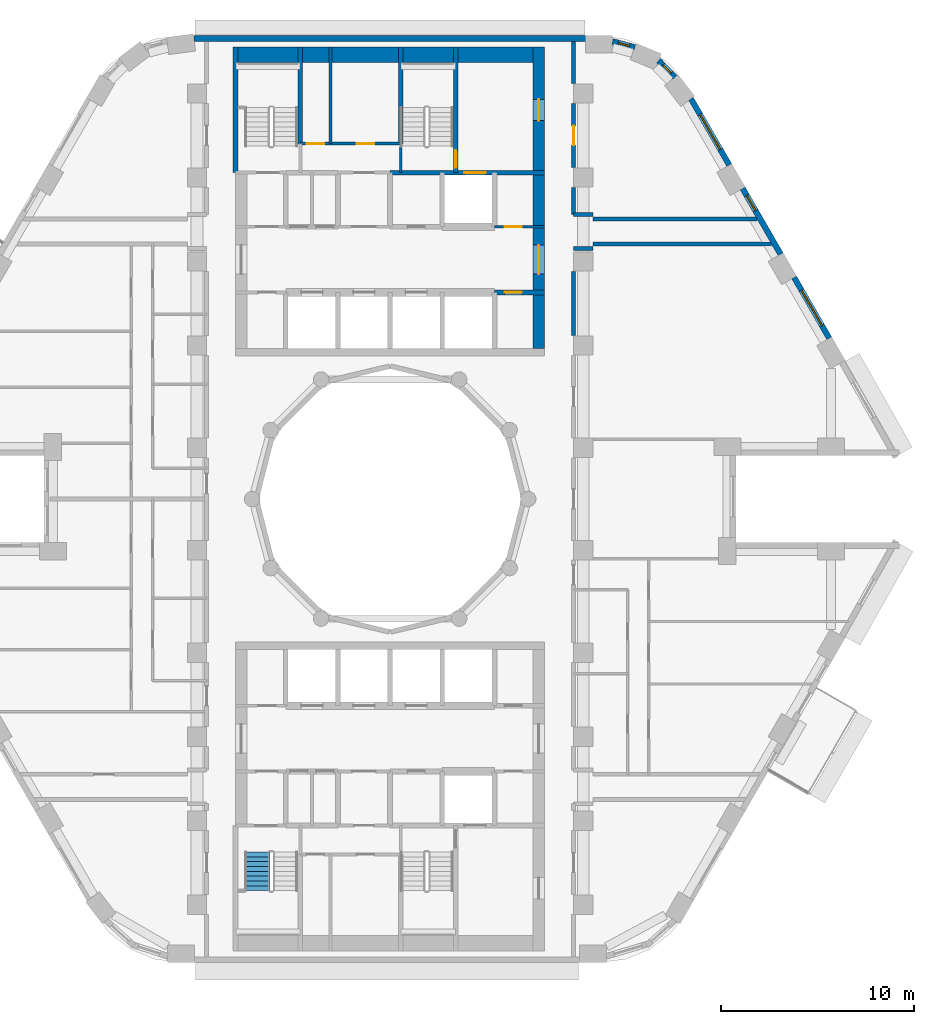
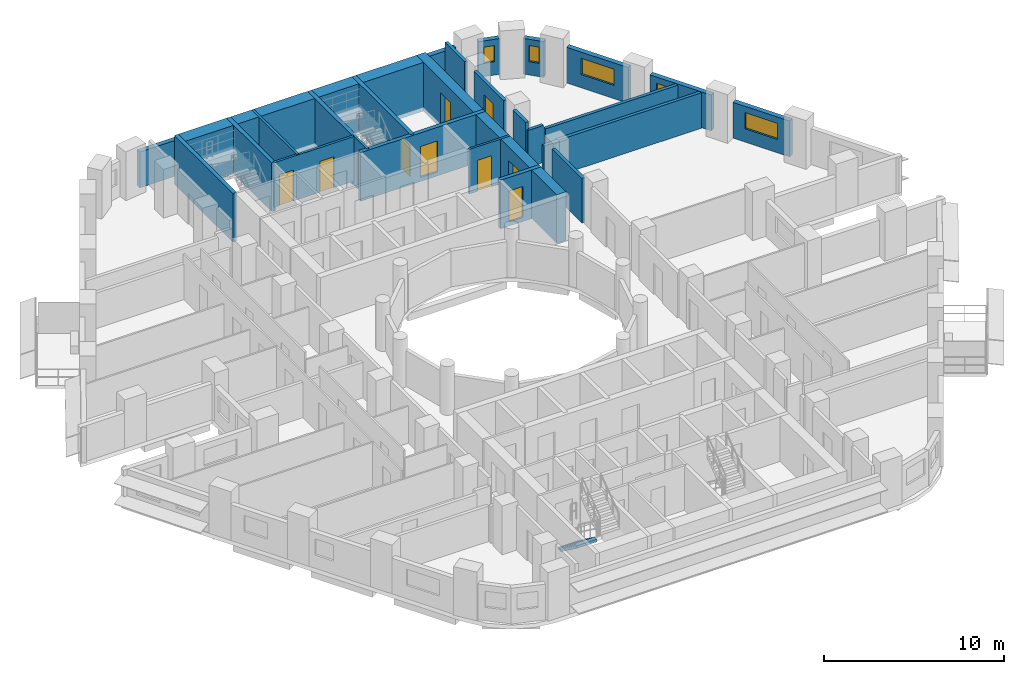
# One storey, part 8 of 14: 26 walls, 9 doors, 5 windows, 1 stair flight, 14 openings, 1 element without a shape of its own.
"""IFC4 building model written with IfcOpenShell, lengths in metres."""

from ifc_helpers import new_model, si_unit, direction, frame, frame_2d, origin, place, context, subcontext, project, spatial, polyline, rectangle, outline, extrude, material, layer, layer_set, type_object, element, fill, aggregate, save


model = new_model("IFC4")

# Units and contexts
model_context = context("Model", 3, precision=1e-05, world=origin(), true_north=direction((0.0, 1.0)))
body_context = subcontext(model_context, "Body", "Model", "MODEL_VIEW")
ifc_project = project(units=[si_unit("LENGTHUNIT", "METRE"), si_unit("AREAUNIT", "SQUARE_METRE"), si_unit("VOLUMEUNIT", "CUBIC_METRE"), si_unit("PLANEANGLEUNIT", "RADIAN"), si_unit("MASSUNIT", "GRAM", prefix="KILO")], contexts=[model_context])

# Site, building, storey
site_placement = place(None, origin())
site = spatial("IfcSite", under=ifc_project, at=site_placement, CompositionType="ELEMENT")
building_placement = place(site_placement, origin())
building = spatial("IfcBuilding", under=site, at=building_placement, Name="Nakaniwa Court", CompositionType="ELEMENT")
storey_placement = place(building_placement, frame((0.0, 0.0, 107.39990234375)))
storey = spatial("IfcBuildingStorey", under=building, at=storey_placement, Name="L28", CompositionType="ELEMENT", Elevation=107.39990234375)

# Walls
ifc_material_1 = material(Name="Acoustic double stud partition")
ifc_layer_1 = layer(ifc_material_1, 0.199951171875)
ifc_layer_set_1 = layer_set([ifc_layer_1], Name="Acoustic double stud partition")
wall_type_1 = type_object("IfcWallType", Name="Acoustic double stud partition 200", PredefinedType="PARTITIONING", material=ifc_layer_set_1)
wall_1_placement = place(storey_placement, frame((89.5, 88.467041015625, 0.0), z_axis=(0.0, 0.0, 1.0), x_axis=(0.0, 1.0, 0.0)))
element("IfcWall", 1, at=wall_1_placement, inside=storey, type_object=wall_type_1, Name="Partition PW-077", PredefinedType="PARTITIONING", context=body_context, shape_type="SweptSolid", body=[
    extrude(rectangle(XDim=3.31591796875, YDim=0.199951171875, at=frame_2d((1.657958984375, 0.0))), origin(), (0.0, 0.0, 1.0), 3.025146484375),
])
wall_2_placement = place(storey_placement, frame((89.5, 94.721923828125, 0.0), z_axis=(0.0, 0.0, 1.0), x_axis=(0.0, 1.0, 0.0)))
element("IfcWall", 2, at=wall_2_placement, inside=storey, type_object=wall_type_1, Name="Partition PW-078", PredefinedType="PARTITIONING", context=body_context, shape_type="SweptSolid", body=[
    extrude(rectangle(XDim=1.4111328125, YDim=0.199951171875, at=frame_2d((0.70556640625, 0.0))), origin(), (0.0, 0.0, 1.0), 3.025146484375),
])

# Wall, opening, door
wall_3_placement = place(storey_placement, frame((89.5, 100.48291015625, 0.0), z_axis=(0.0, 0.0, 1.0), x_axis=(0.0, -1.0, 0.0)))
wall_3 = element("IfcWall", 3, at=wall_3_placement, inside=storey, type_object=wall_type_1, Name="Partition PW-079", PredefinedType="PARTITIONING", context=body_context, shape_type="SweptSolid", body=[
    extrude(rectangle(XDim=3.31591796875, YDim=0.199951171875, at=frame_2d((1.657958984375, 0.0))), origin(), (0.0, 0.0, 1.0), 3.025146484375),
])
opening_1_placement = place(wall_3_placement, frame((1.157958984375, 0.0, 0.0)))
opening_1 = element("IfcOpeningElement", 4, at=opening_1_placement, cuts=wall_3, Name="Opening D-02-04", PredefinedType="OPENING", context=body_context, shape_type="SweptSolid", body=[
    extrude(rectangle(XDim=1.0, YDim=2.10009765625, at=frame_2d((0.5, 1.050048828125))), frame((0.0, 0.10986328125, 0.0), z_axis=(0.0, -1.0, 0.0), x_axis=(1.0, 0.0, 0.0)), (0.0, 0.0, 1.0), 0.219970703125),
])
ifc_material_2 = material(Name="Solid core timber door set, black veneer", Category="wood")
door_type_1 = type_object("IfcDoorType", Name="Internal door 1000", OperationType="NOTDEFINED", PredefinedType="DOOR", material=ifc_material_2)
door_1_placement = place(opening_1_placement, origin())
door_1 = element("IfcDoor", 5, at=door_1_placement, inside=storey, type_object=door_type_1, Name="Door D-02-04 L28-036", OperationType="SINGLE_SWING_LEFT", OverallHeight=2.10009765625, OverallWidth=1.0, PredefinedType="DOOR", context=body_context, shape_type="SweptSolid", body=[
    extrude(rectangle(XDim=1.0, YDim=2.10009765625, at=frame_2d((0.5, 1.050048828125))), frame((0.0, 0.02490234375, 0.0), z_axis=(0.0, -1.0, 0.0), x_axis=(1.0, 0.0, 0.0)), (0.0, 0.0, 1.0), 0.050048828125),
])
fill(opening_1, door_1)

# Walls
wall_4_placement = place(storey_placement, frame((89.5, 101.51708984375, 0.0), z_axis=(0.0, 0.0, 1.0), x_axis=(0.0, 1.0, 0.0)))
element("IfcWall", 6, at=wall_4_placement, inside=storey, type_object=wall_type_1, Name="Partition PW-080", PredefinedType="PARTITIONING", context=body_context, shape_type="SweptSolid", body=[
    extrude(rectangle(XDim=2.182861328125, YDim=0.199951171875, at=frame_2d((1.09130859375, 0.0))), origin(), (0.0, 0.0, 1.0), 3.025146484375),
])
wall_5_placement = place(storey_placement, frame((90.5, 93.199951171875, 0.0), z_axis=(0.0, 0.0, 1.0), x_axis=(1.0, 0.0, 0.0)))
element("IfcWall", 7, at=wall_5_placement, inside=storey, type_object=wall_type_1, Name="Partition PW-082", PredefinedType="PARTITIONING", context=body_context, shape_type="SweptSolid", body=[
    extrude(rectangle(XDim=9.245361328125, YDim=0.199951171875, at=frame_2d((4.62255859375, 0.0))), origin(), (0.0, 0.0, 1.0), 2.405029296875),
])
for number, where, z_axis, x_axis, name in (
    (8, (89.5, 92.97509765625, 0.0), (0.0, 0.0, 1.0), (1.0, 0.0, 0.0), "Partition PW-084"),
    (9, (89.5, 94.72509765625, 0.0), (0.0, 0.0, 1.0), (1.0, 0.0, 0.0), "Partition PW-086"),
):
    element("IfcWall", number, at=place(storey_placement, frame(where, z_axis=z_axis, x_axis=x_axis)), inside=storey, type_object=wall_type_1, Name=name, PredefinedType="PARTITIONING", context=body_context, shape_type="SweptSolid", body=[
        extrude(rectangle(XDim=1.0, YDim=0.199951171875, at=frame_2d((0.5, 0.0))), origin(), (0.0, 0.0, 1.0), 2.505126953125),
    ])
wall_6_placement = place(storey_placement, frame((90.5, 94.5, 0.0), z_axis=(0.0, 0.0, 1.0), x_axis=(1.0, 0.0, 0.0)))
element("IfcWall", 10, at=wall_6_placement, inside=storey, type_object=wall_type_1, Name="Partition PW-088", PredefinedType="PARTITIONING", context=body_context, shape_type="SweptSolid", body=[
    extrude(rectangle(XDim=8.494873046875, YDim=0.199951171875, at=frame_2d((4.24755859375, 0.0))), origin(), (0.0, 0.0, 1.0), 2.405029296875),
])

# Wall, opening, window
ifc_material_3 = material(Name="Charcoal ceramic cladding")
ifc_layer_2 = layer(ifc_material_3, 0.02, Name="Ceramic cladding")
ifc_material_4 = material(Name="Ventilated air cavity")
ifc_layer_3 = layer(ifc_material_4, 0.04, ventilated=True, Name="Ventilated cavity")
ifc_material_5 = material(Name="Mineral wool insulation")
ifc_layer_4 = layer(ifc_material_5, 0.1, Name="Insulation")
ifc_material_6 = material(Name="Cement bonded sheathing board")
ifc_layer_5 = layer(ifc_material_6, 0.012, Name="Sheathing")
ifc_material_7 = material(Name="Cold-formed galvanised stud frame with mineral wool infill")
ifc_layer_6 = layer(ifc_material_7, 0.1, Name="Stud frame")
ifc_material_8 = material(Name="Fire-rated gypsum plasterboard lining")
ifc_layer_7 = layer(ifc_material_8, 0.028, Name="Lining")
ifc_layer_set_2 = layer_set([ifc_layer_2, ifc_layer_3, ifc_layer_4, ifc_layer_5, ifc_layer_6, ifc_layer_7], Name="Charcoal ceramic faced external wall system")
wall_type_2 = type_object("IfcWallType", Name="Black ceramic faced external wall 300", PredefinedType="SOLIDWALL", material=ifc_layer_set_2)
wall_7_placement = place(storey_placement, frame((102.734619140625, 88.322509765625, 0.0), z_axis=(0.0, 0.0, 1.0), x_axis=(-0.500009139881, 0.866020126807, 0.0)))
wall_7 = element("IfcWall", 11, at=wall_7_placement, inside=storey, type_object=wall_type_2, Name="L28 external wall 03", PredefinedType="SOLIDWALL", context=body_context, shape_type="SweptSolid", body=[
    extrude(rectangle(XDim=3.63671875, YDim=0.300048828125, at=frame_2d((1.818359375, 0.0))), origin(), (0.0, 0.0, 1.0), 2.425048828125),
])
opening_2_placement = place(wall_7_placement, frame((0.768310546875, 0.0, 0.89990234375)))
opening_2 = element("IfcOpeningElement", 12, at=opening_2_placement, cuts=wall_7, Name="Opening W7.02", PredefinedType="OPENING", context=body_context, shape_type="SweptSolid", body=[
    extrude(rectangle(XDim=2.10009765625, YDim=1.10009765625, at=frame_2d((1.050048828125, 0.550048828125))), frame((0.0, 0.159912109375, 0.0), z_axis=(0.0, -1.0, 0.0), x_axis=(1.0, 0.0, 0.0)), (0.0, 0.0, 1.0), 0.320068359375),
])
ifc_material_9 = material(Name="Black anodised aluminium frame with dark low-E laminated double glazing", Category="aluminium")
window_type_1 = type_object("IfcWindowType", Name="Dark glass window 2100x1100 sill 900", PartitioningType="SINGLE_PANEL", PredefinedType="WINDOW", material=ifc_material_9)
window_1_placement = place(opening_2_placement, origin())
window_1 = element("IfcWindow", 13, at=window_1_placement, inside=storey, type_object=window_type_1, Name="L28 habitable room window 03-0", OverallHeight=1.10009765625, OverallWidth=2.10009765625, PartitioningType="SINGLE_PANEL", PredefinedType="WINDOW", context=body_context, shape_type="SweptSolid", body=[
    extrude(rectangle(XDim=2.10009765625, YDim=1.10009765625, at=frame_2d((1.050048828125, 0.550048828125))), frame((0.0, 0.030029296875, 0.0), z_axis=(0.0, -1.0, 0.0), x_axis=(1.0, 0.0, 0.0)), (0.0, 0.0, 1.0), 0.06005859375),
])
fill(opening_2, window_1)

wall_8_placement = place(storey_placement, frame((100.22021484375, 92.677490234375, 0.0), z_axis=(0.0, 0.0, 1.0), x_axis=(-0.499957037901, 0.866050206543, 0.0)))
wall_8 = element("IfcWall", 14, at=wall_8_placement, inside=storey, type_object=wall_type_2, Name="L28 external wall 04", PredefinedType="SOLIDWALL", context=body_context, shape_type="SweptSolid", body=[
    extrude(rectangle(XDim=3.933837890625, YDim=0.300048828125, at=frame_2d((1.966796875, 0.0))), origin(), (0.0, 0.0, 1.0), 2.425048828125),
])
opening_3_placement = place(wall_8_placement, frame((2.606201171875, 0.0, 0.89990234375)))
opening_3 = element("IfcOpeningElement", 15, at=opening_3_placement, cuts=wall_8, Name="Opening W9.03", PredefinedType="OPENING", context=body_context, shape_type="SweptSolid", body=[
    extrude(rectangle(XDim=0.89990234375, YDim=1.10009765625, at=frame_2d((0.449951171875, 0.550048828125))), frame((0.0, 0.159912109375, 0.0), z_axis=(0.0, -1.0, 0.0), x_axis=(1.0, 0.0, 0.0)), (0.0, 0.0, 1.0), 0.320068359375),
])
window_type_2 = type_object("IfcWindowType", Name="Dark glass window 900x1100 sill 900", PartitioningType="SINGLE_PANEL", PredefinedType="WINDOW", material=ifc_material_9)
window_2_placement = place(opening_3_placement, origin())
window_2 = element("IfcWindow", 16, at=window_2_placement, inside=storey, type_object=window_type_2, Name="L28 habitable room window 04-2", OverallHeight=1.10009765625, OverallWidth=0.89990234375, PartitioningType="SINGLE_PANEL", PredefinedType="WINDOW", context=body_context, shape_type="SweptSolid", body=[
    extrude(rectangle(XDim=0.89990234375, YDim=1.10009765625, at=frame_2d((0.449951171875, 0.550048828125))), frame((0.0, 0.030029296875, 0.0), z_axis=(0.0, -1.0, 0.0), x_axis=(1.0, 0.0, 0.0)), (0.0, 0.0, 1.0), 0.06005859375),
])
fill(opening_3, window_2)

wall_9_placement = place(storey_placement, frame((97.557373046875, 97.289794921875, 0.0), z_axis=(0.0, 0.0, 1.0), x_axis=(-0.500043828347, 0.866000097998, 0.0)))
wall_9 = element("IfcWall", 17, at=wall_9_placement, inside=storey, type_object=wall_type_2, Name="L28 external wall 05", PredefinedType="SOLIDWALL", context=body_context, shape_type="SweptSolid", body=[
    extrude(rectangle(XDim=3.967529296875, YDim=0.300048828125, at=frame_2d((1.98388671875, 0.0))), origin(), (0.0, 0.0, 1.0), 2.425048828125),
])
opening_4_placement = place(wall_9_placement, frame((0.92236328125, 0.0, 0.89990234375)))
opening_4 = element("IfcOpeningElement", 18, at=opening_4_placement, cuts=wall_9, Name="Opening W7.04", PredefinedType="OPENING", context=body_context, shape_type="SweptSolid", body=[
    extrude(rectangle(XDim=2.10009765625, YDim=1.10009765625, at=frame_2d((1.050048828125, 0.550048828125))), frame((0.0, 0.159912109375, 0.0), z_axis=(0.0, -1.0, 0.0), x_axis=(1.0, 0.0, 0.0)), (0.0, 0.0, 1.0), 0.320068359375),
])
window_3_placement = place(opening_4_placement, origin())
window_3 = element("IfcWindow", 19, at=window_3_placement, inside=storey, type_object=window_type_1, Name="L28 habitable room window 05-0", OverallHeight=1.10009765625, OverallWidth=2.10009765625, PartitioningType="SINGLE_PANEL", PredefinedType="WINDOW", context=body_context, shape_type="SweptSolid", body=[
    extrude(rectangle(XDim=2.10009765625, YDim=1.10009765625, at=frame_2d((1.050048828125, 0.550048828125))), frame((0.0, 0.030029296875, 0.0), z_axis=(0.0, -1.0, 0.0), x_axis=(1.0, 0.0, 0.0)), (0.0, 0.0, 1.0), 0.06005859375),
])
fill(opening_4, window_3)

wall_10_placement = place(storey_placement, frame((94.738037109375, 101.839111328125, 0.0), z_axis=(0.0, 0.0, 1.0), x_axis=(-0.697032216592, 0.717039809936, 0.0)))
wall_10 = element("IfcWall", 20, at=wall_10_placement, inside=storey, type_object=wall_type_2, Name="L28 external wall 06", PredefinedType="SOLIDWALL", context=body_context, shape_type="SweptSolid", body=[
    extrude(rectangle(XDim=1.2080078125, YDim=0.300048828125, at=frame_2d((0.60400390625, 0.0))), origin(), (0.0, 0.0, 1.0), 2.425048828125),
])
opening_5_placement = place(wall_10_placement, frame((0.279296875, 0.0, 0.89990234375)))
opening_5 = element("IfcOpeningElement", 21, at=opening_5_placement, cuts=wall_10, Name="Opening W8.05", PredefinedType="OPENING", context=body_context, shape_type="SweptSolid", body=[
    extrude(rectangle(XDim=0.60009765625, YDim=1.10009765625, at=frame_2d((0.300048828125, 0.550048828125))), frame((0.0, 0.159912109375, 0.0), z_axis=(0.0, -1.0, 0.0), x_axis=(1.0, 0.0, 0.0)), (0.0, 0.0, 1.0), 0.320068359375),
])
window_type_3 = type_object("IfcWindowType", Name="Dark glass window 600x1100 sill 900", PartitioningType="SINGLE_PANEL", PredefinedType="WINDOW", material=ifc_material_9)
window_4_placement = place(opening_5_placement, origin())
window_4 = element("IfcWindow", 22, at=window_4_placement, inside=storey, type_object=window_type_3, Name="L28 habitable room window 06-0", OverallHeight=1.10009765625, OverallWidth=0.60009765625, PartitioningType="SINGLE_PANEL", PredefinedType="WINDOW", context=body_context, shape_type="SweptSolid", body=[
    extrude(rectangle(XDim=0.60009765625, YDim=1.10009765625, at=frame_2d((0.300048828125, 0.550048828125))), frame((0.0, 0.030029296875, 0.0), z_axis=(0.0, -1.0, 0.0), x_axis=(1.0, 0.0, 0.0)), (0.0, 0.0, 1.0), 0.06005859375),
])
fill(opening_5, window_4)

wall_11_placement = place(storey_placement, frame((92.669189453125, 103.3818359375, 0.0), z_axis=(0.0, 0.0, 1.0), x_axis=(-0.965278131029, 0.261224290136, 0.0)))
wall_11 = element("IfcWall", 23, at=wall_11_placement, inside=storey, type_object=wall_type_2, Name="L28 external wall 07", PredefinedType="SOLIDWALL", context=body_context, shape_type="SweptSolid", body=[
    extrude(rectangle(XDim=1.189697265625, YDim=0.300048828125, at=frame_2d((0.5947265625, 0.0))), origin(), (0.0, 0.0, 1.0), 2.425048828125),
])
opening_6_placement = place(wall_11_placement, frame((0.28466796875, 0.0, 0.89990234375)))
opening_6 = element("IfcOpeningElement", 24, at=opening_6_placement, cuts=wall_11, Name="Opening W8.06", PredefinedType="OPENING", context=body_context, shape_type="SweptSolid", body=[
    extrude(rectangle(XDim=0.60009765625, YDim=1.10009765625, at=frame_2d((0.300048828125, 0.550048828125))), frame((0.0, 0.159912109375, 0.0), z_axis=(0.0, -1.0, 0.0), x_axis=(1.0, 0.0, 0.0)), (0.0, 0.0, 1.0), 0.320068359375),
])
window_5_placement = place(opening_6_placement, origin())
window_5 = element("IfcWindow", 25, at=window_5_placement, inside=storey, type_object=window_type_3, Name="L28 habitable room window 07-0", OverallHeight=1.10009765625, OverallWidth=0.60009765625, PartitioningType="SINGLE_PANEL", PredefinedType="WINDOW", context=body_context, shape_type="SweptSolid", body=[
    extrude(rectangle(XDim=0.60009765625, YDim=1.10009765625, at=frame_2d((0.300048828125, 0.550048828125))), frame((0.0, 0.030029296875, 0.0), z_axis=(0.0, -1.0, 0.0), x_axis=(1.0, 0.0, 0.0)), (0.0, 0.0, 1.0), 0.06005859375),
])
fill(opening_6, window_5)

# Wall
wall_12_placement = place(storey_placement, frame((90.128662109375, 103.85009765625, 0.0), z_axis=(0.0, 0.0, 1.0), x_axis=(-1.0, 0.0, 0.0)))
element("IfcWall", 26, at=wall_12_placement, inside=storey, type_object=wall_type_2, Name="L28 external wall 08", PredefinedType="SOLIDWALL", context=body_context, shape_type="SweptSolid", body=[
    extrude(rectangle(XDim=20.290771484375, YDim=0.300048828125, at=frame_2d((10.1455078125, 0.0))), origin(), (0.0, 0.0, 1.0), 2.425048828125),
])

# Wall, opening, door
ifc_material_10 = material(Name="Blockwork partition", Category="masonry")
ifc_layer_8 = layer(ifc_material_10, 0.14990234375)
ifc_layer_set_3 = layer_set([ifc_layer_8], Name="Blockwork partition")
wall_type_3 = type_object("IfcWallType", Name="Blockwork partition 150", PredefinedType="PARTITIONING", material=ifc_layer_set_3)
wall_13_placement = place(storey_placement, frame((85.39697265625, 94.10009765625, 0.0), z_axis=(0.0, 0.0, 1.0), x_axis=(1.0, 0.0, 0.0)))
wall_13 = element("IfcWall", 27, at=wall_13_placement, inside=storey, type_object=wall_type_3, Name="Partition PW-018", PredefinedType="PARTITIONING", context=body_context, shape_type="SweptSolid", body=[
    extrude(rectangle(XDim=2.60302734375, YDim=0.14990234375, at=frame_2d((1.301513671875, 0.0))), origin(), (0.0, 0.0, 1.0), 3.025146484375),
])
opening_7_placement = place(wall_13_placement, frame((0.528076171875, 0.0, 0.0)))
opening_7 = element("IfcOpeningElement", 28, at=opening_7_placement, cuts=wall_13, Name="Opening D-05-06", PredefinedType="OPENING", context=body_context, shape_type="SweptSolid", body=[
    extrude(rectangle(XDim=0.89990234375, YDim=2.10009765625, at=frame_2d((0.449951171875, 1.050048828125))), frame((0.0, 0.0849609375, 0.0), z_axis=(0.0, -1.0, 0.0), x_axis=(1.0, 0.0, 0.0)), (0.0, 0.0, 1.0), 0.169921875),
])
ifc_material_11 = material(Name="Fire rated steel door set", Category="steel")
door_type_2 = type_object("IfcDoorType", Name="Service room door 900", OperationType="NOTDEFINED", PredefinedType="DOOR", material=ifc_material_11)
door_2_placement = place(opening_7_placement, origin())
door_2 = element("IfcDoor", 29, at=door_2_placement, inside=storey, type_object=door_type_2, Name="Door D-05-06 L28-008", OperationType="SINGLE_SWING_LEFT", OverallHeight=2.10009765625, OverallWidth=0.89990234375, PredefinedType="DOOR", context=body_context, shape_type="SweptSolid", body=[
    extrude(rectangle(XDim=0.89990234375, YDim=2.10009765625, at=frame_2d((0.449951171875, 1.050048828125))), frame((0.0, 0.02490234375, 0.0), z_axis=(0.0, -1.0, 0.0), x_axis=(1.0, 0.0, 0.0)), (0.0, 0.0, 1.0), 0.050048828125),
])
fill(opening_7, door_2)

# Wall, openings, doors
wall_14_placement = place(storey_placement, frame((75.35009765625, 98.39990234375, 0.0), z_axis=(0.0, 0.0, 1.0), x_axis=(1.0, 0.0, 0.0)))
wall_14 = element("IfcWall", 30, at=wall_14_placement, inside=storey, type_object=wall_type_3, Name="Partition PW-033", PredefinedType="PARTITIONING", context=body_context, shape_type="SweptSolid", body=[
    extrude(rectangle(XDim=5.199951171875, YDim=0.14990234375, at=frame_2d((2.60009765625, 0.0))), origin(), (0.0, 0.0, 1.0), 3.025146484375),
])
opening_8_placement = place(wall_14_placement, frame((0.330078125, 0.0, 0.0)))
opening_8 = element("IfcOpeningElement", 31, at=opening_8_placement, cuts=wall_14, Name="Opening D-05-07", PredefinedType="OPENING", context=body_context, shape_type="SweptSolid", body=[
    extrude(rectangle(XDim=0.89990234375, YDim=2.10009765625, at=frame_2d((0.449951171875, 1.050048828125))), frame((0.0, 0.0849609375, 0.0), z_axis=(0.0, -1.0, 0.0), x_axis=(1.0, 0.0, 0.0)), (0.0, 0.0, 1.0), 0.169921875),
])
opening_9_placement = place(wall_14_placement, frame((2.929931640625, 0.0, 0.0)))
opening_9 = element("IfcOpeningElement", 32, at=opening_9_placement, cuts=wall_14, Name="Opening D-05-08", PredefinedType="OPENING", context=body_context, shape_type="SweptSolid", body=[
    extrude(rectangle(XDim=0.89990234375, YDim=2.10009765625, at=frame_2d((0.449951171875, 1.050048828125))), frame((0.0, 0.0849609375, 0.0), z_axis=(0.0, -1.0, 0.0), x_axis=(1.0, 0.0, 0.0)), (0.0, 0.0, 1.0), 0.169921875),
])
door_3_placement = place(opening_8_placement, origin())
door_3 = element("IfcDoor", 33, at=door_3_placement, inside=storey, type_object=door_type_2, Name="Door D-05-07 L28-010", OperationType="SINGLE_SWING_LEFT", OverallHeight=2.10009765625, OverallWidth=0.89990234375, PredefinedType="DOOR", context=body_context, shape_type="SweptSolid", body=[
    extrude(rectangle(XDim=0.89990234375, YDim=2.10009765625, at=frame_2d((0.449951171875, 1.050048828125))), frame((0.0, 0.02490234375, 0.0), z_axis=(0.0, -1.0, 0.0), x_axis=(1.0, 0.0, 0.0)), (0.0, 0.0, 1.0), 0.050048828125),
])
fill(opening_8, door_3)
door_4_placement = place(opening_9_placement, origin())
door_4 = element("IfcDoor", 34, at=door_4_placement, inside=storey, type_object=door_type_2, Name="Door D-05-08 L28-011", OperationType="SINGLE_SWING_RIGHT", OverallHeight=2.10009765625, OverallWidth=0.89990234375, PredefinedType="DOOR", context=body_context, shape_type="SweptSolid", body=[
    extrude(rectangle(XDim=0.89990234375, YDim=2.10009765625, at=frame_2d((0.449951171875, 1.050048828125))), frame((0.0, 0.02490234375, 0.0), z_axis=(0.0, -1.0, 0.0), x_axis=(1.0, 0.0, 0.0)), (0.0, 0.0, 1.0), 0.050048828125),
])
fill(opening_9, door_4)

# Wall
wall_15_placement = place(storey_placement, frame((76.909912109375, 98.39990234375, 0.0), z_axis=(0.0, 0.0, 1.0), x_axis=(0.0, 1.0, 0.0)))
element("IfcWall", 35, at=wall_15_placement, inside=storey, type_object=wall_type_3, Name="Partition PW-034", PredefinedType="PARTITIONING", context=body_context, shape_type="SweptSolid", body=[
    extrude(rectangle(XDim=5.0, YDim=0.14990234375, at=frame_2d((2.5, 0.0))), origin(), (0.0, 0.0, 1.0), 3.025146484375),
])

# Wall, openings, doors
ifc_material_12 = material(Name="Concrete C80/100", Category="concrete")
ifc_layer_9 = layer(ifc_material_12, 0.60009765625)
ifc_layer_set_4 = layer_set([ifc_layer_9], Name="Concrete C80/100")
wall_type_4 = type_object("IfcWallType", Name="Concrete core side wall 600 C80", PredefinedType="SHEAR", material=ifc_layer_set_4)
wall_16_placement = place(storey_placement, frame((87.699951171875, 103.39990234375, -0.27490234375), z_axis=(0.0, 0.0, 1.0), x_axis=(0.0, -1.0, 0.0)))
wall_16 = element("IfcWall", 36, at=wall_16_placement, inside=storey, type_object=wall_type_4, Name="Core wall SW-15", PredefinedType="SHEAR", context=body_context, shape_type="SweptSolid", body=[
    extrude(rectangle(XDim=15.599853515625, YDim=0.60009765625, at=frame_2d((7.7998046875, 0.0))), origin(), (0.0, 0.0, 1.0), 3.300048828125),
])
opening_10_placement = place(wall_16_placement, frame((10.25, 0.0, 0.27490234375)))
opening_10 = element("IfcOpeningElement", 37, at=opening_10_placement, cuts=wall_16, Name="Opening D-07-01", PredefinedType="OPENING", context=body_context, shape_type="SweptSolid", body=[
    extrude(rectangle(XDim=1.5, YDim=2.10009765625, at=frame_2d((0.75, 1.050048828125))), frame((0.0, 0.31005859375, 0.0), z_axis=(0.0, -1.0, 0.0), x_axis=(1.0, 0.0, 0.0)), (0.0, 0.0, 1.0), 0.6201171875),
])
opening_11_placement = place(wall_16_placement, frame((2.699951171875, 0.0, 0.27490234375)))
opening_11 = element("IfcOpeningElement", 38, at=opening_11_placement, cuts=wall_16, Name="Opening D-10-01", PredefinedType="OPENING", context=body_context, shape_type="SweptSolid", body=[
    extrude(rectangle(XDim=1.10009765625, YDim=2.10009765625, at=frame_2d((0.550048828125, 1.050048828125))), frame((0.0, 0.31005859375, 0.0), z_axis=(0.0, -1.0, 0.0), x_axis=(1.0, 0.0, 0.0)), (0.0, 0.0, 1.0), 0.6201171875),
])
door_type_3 = type_object("IfcDoorType", Name="Firefighting lobby door 1100", OperationType="NOTDEFINED", PredefinedType="DOOR", material=ifc_material_11)
door_5_placement = place(opening_11_placement, origin())
door_5 = element("IfcDoor", 39, at=door_5_placement, inside=storey, type_object=door_type_3, Name="Door D-10-01 L28-056", OperationType="SINGLE_SWING_LEFT", OverallHeight=2.10009765625, OverallWidth=1.10009765625, PredefinedType="DOOR", context=body_context, shape_type="SweptSolid", body=[
    extrude(rectangle(XDim=1.10009765625, YDim=2.10009765625, at=frame_2d((0.550048828125, 1.050048828125))), frame((0.0, 0.02490234375, 0.0), z_axis=(0.0, -1.0, 0.0), x_axis=(1.0, 0.0, 0.0)), (0.0, 0.0, 1.0), 0.050048828125),
])
fill(opening_11, door_5)
ifc_material_13 = material(Name="Glazed fire rated steel double door set", Category="steel")
door_type_4 = type_object("IfcDoorType", Name="Lobby double door 1500", OperationType="NOTDEFINED", PredefinedType="DOOR", material=ifc_material_13)
door_6_placement = place(opening_10_placement, origin())
door_6 = element("IfcDoor", 40, at=door_6_placement, inside=storey, type_object=door_type_4, Name="Door D-07-01 L28-054", OperationType="DOUBLE_DOOR_SINGLE_SWING", OverallHeight=2.10009765625, OverallWidth=1.5, PredefinedType="DOOR", context=body_context, shape_type="SweptSolid", body=[
    extrude(rectangle(XDim=1.5, YDim=2.10009765625, at=frame_2d((0.75, 1.050048828125))), frame((0.0, 0.02490234375, 0.0), z_axis=(0.0, -1.0, 0.0), x_axis=(1.0, 0.0, 0.0)), (0.0, 0.0, 1.0), 0.050048828125),
])
fill(opening_10, door_6)

# Walls
ifc_layer_10 = layer(ifc_material_12, 0.14990234375)
ifc_layer_set_5 = layer_set([ifc_layer_10], Name="Concrete C80/100")
wall_type_5 = type_object("IfcWallType", Name="Concrete core wall 150 C80", PredefinedType="SHEAR", material=ifc_layer_set_5)
wall_17_placement = place(storey_placement, frame((80.550048828125, 96.89990234375, -0.27490234375), z_axis=(0.0, 0.0, 1.0), x_axis=(0.0, 1.0, 0.0)))
element("IfcWall", 41, at=wall_17_placement, inside=storey, type_object=wall_type_5, Name="Core wall SW-31", PredefinedType="SHEAR", context=body_context, shape_type="SweptSolid", body=[
    extrude(rectangle(XDim=1.503173828125, YDim=0.14990234375, at=frame_2d((0.75146484375, 0.0))), origin(), (0.0, 0.0, 1.0), 3.300048828125),
])
ifc_layer_11 = layer(ifc_material_12, 0.25)
ifc_layer_set_6 = layer_set([ifc_layer_11], Name="Concrete C80/100")
wall_type_6 = type_object("IfcWallType", Name="Concrete core wall 250 C80", PredefinedType="SHEAR", material=ifc_layer_set_6)
wall_18_placement = place(storey_placement, frame((72.0, 96.89990234375, -0.27490234375), z_axis=(0.0, 0.0, 1.0), x_axis=(0.0, 1.0, 0.0)))
element("IfcWall", 42, at=wall_18_placement, inside=storey, type_object=wall_type_6, Name="Core wall SW-29", PredefinedType="SHEAR", context=body_context, shape_type="SweptSolid", body=[
    extrude(rectangle(XDim=6.5, YDim=0.25, at=frame_2d((3.25, 0.0))), origin(), (0.0, 0.0, 1.0), 3.300048828125),
])
ifc_layer_12 = layer(ifc_material_12, 0.800048828125)
ifc_layer_set_7 = layer_set([ifc_layer_12], Name="Concrete C80/100")
wall_type_7 = type_object("IfcWallType", Name="Concrete core wall 800 C80", PredefinedType="SHEAR", material=ifc_layer_set_7)
wall_19_placement = place(storey_placement, frame((72.00390625, 103.0, -0.27490234375), z_axis=(0.0, 0.0, 1.0), x_axis=(1.0, 0.0, 0.0)))
element("IfcWall", 43, at=wall_19_placement, inside=storey, type_object=wall_type_7, Name="Core wall SW-133", PredefinedType="SHEAR", context=body_context, shape_type="SweptSolid", body=[
    extrude(rectangle(XDim=15.9921875, YDim=0.800048828125, at=frame_2d((7.99609375, 0.0))), origin(), (0.0, 0.0, 1.0), 3.300048828125),
])

# Wall, opening, door
ifc_layer_13 = layer(ifc_material_12, 0.25)
ifc_layer_set_8 = layer_set([ifc_layer_13], Name="Concrete C80/100")
wall_type_8 = type_object("IfcWallType", Name="Concrete shaft wall 250 C80", PredefinedType="SHEAR", material=ifc_layer_set_8)
wall_20_placement = place(storey_placement, frame((88.0, 90.699951171875, -0.27490234375), z_axis=(0.0, 0.0, 1.0), x_axis=(-1.0, 0.0, 0.0)))
wall_20 = element("IfcWall", 44, at=wall_20_placement, inside=storey, type_object=wall_type_8, Name="Core wall SW-14", PredefinedType="SHEAR", context=body_context, shape_type="SweptSolid", body=[
    extrude(rectangle(XDim=2.60009765625, YDim=0.25, at=frame_2d((1.300048828125, 0.0))), origin(), (0.0, 0.0, 1.0), 3.300048828125),
])
opening_12_placement = place(wall_20_placement, frame((1.175048828125, 0.0, 0.27490234375)))
opening_12 = element("IfcOpeningElement", 45, at=opening_12_placement, cuts=wall_20, Name="Opening D-05-02", PredefinedType="OPENING", context=body_context, shape_type="SweptSolid", body=[
    extrude(rectangle(XDim=0.89990234375, YDim=2.10009765625, at=frame_2d((0.449951171875, 1.050048828125))), frame((0.0, 0.135009765625, 0.0), z_axis=(0.0, -1.0, 0.0), x_axis=(1.0, 0.0, 0.0)), (0.0, 0.0, 1.0), 0.27001953125),
])
door_7_placement = place(opening_12_placement, origin())
door_7 = element("IfcDoor", 46, at=door_7_placement, inside=storey, type_object=door_type_2, Name="Door D-05-02 L28-002", OperationType="SINGLE_SWING_LEFT", OverallHeight=2.10009765625, OverallWidth=0.89990234375, PredefinedType="DOOR", context=body_context, shape_type="SweptSolid", body=[
    extrude(rectangle(XDim=0.89990234375, YDim=2.10009765625, at=frame_2d((0.449951171875, 1.050048828125))), frame((0.0, 0.02490234375, 0.0), z_axis=(0.0, -1.0, 0.0), x_axis=(1.0, 0.0, 0.0)), (0.0, 0.0, 1.0), 0.050048828125),
])
fill(opening_12, door_7)

wall_21_placement = place(storey_placement, frame((80.0, 96.89990234375, -0.27490234375), z_axis=(0.0, 0.0, 1.0), x_axis=(1.0, 0.0, 0.0)))
wall_21 = element("IfcWall", 47, at=wall_21_placement, inside=storey, type_object=wall_type_8, Name="Core wall SW-25", PredefinedType="SHEAR", context=body_context, shape_type="SweptSolid", body=[
    extrude(rectangle(XDim=8.0, YDim=0.25, at=frame_2d((4.0, 0.0))), origin(), (0.0, 0.0, 1.0), 3.300048828125),
])
opening_13_placement = place(wall_21_placement, frame((3.84912109375, 0.0, 0.27490234375)))
opening_13 = element("IfcOpeningElement", 48, at=opening_13_placement, cuts=wall_21, Name="Opening LD04", PredefinedType="OPENING", context=body_context, shape_type="SweptSolid", body=[
    extrude(rectangle(XDim=1.10009765625, YDim=2.10009765625, at=frame_2d((0.550048828125, 1.050048828125))), frame((0.0, 0.135009765625, 0.0), z_axis=(0.0, -1.0, 0.0), x_axis=(1.0, 0.0, 0.0)), (0.0, 0.0, 1.0), 0.27001953125),
])
ifc_material_14 = material(Name="Stainless steel sliding lift landing door", Category="steel")
door_type_5 = type_object("IfcDoorType", Name="Lift landing door 1100", OperationType="NOTDEFINED", PredefinedType="DOOR", material=ifc_material_14)
door_8_placement = place(opening_13_placement, origin())
door_8 = element("IfcDoor", 49, at=door_8_placement, inside=storey, type_object=door_type_5, Name="Lift landing door LD04 L28-004", OperationType="SLIDING_TO_LEFT", OverallHeight=2.10009765625, OverallWidth=1.10009765625, PredefinedType="DOOR", context=body_context, shape_type="SweptSolid", body=[
    extrude(rectangle(XDim=1.10009765625, YDim=2.10009765625, at=frame_2d((0.550048828125, 1.050048828125))), frame((0.0, 0.02490234375, 0.0), z_axis=(0.0, -1.0, 0.0), x_axis=(1.0, 0.0, 0.0)), (0.0, 0.0, 1.0), 0.050048828125),
])
fill(opening_13, door_8)

# Wall
wall_22_placement = place(storey_placement, frame((75.35009765625, 98.39697265625, -0.27490234375), z_axis=(0.0, 0.0, 1.0), x_axis=(0.0, 1.0, 0.0)))
element("IfcWall", 50, at=wall_22_placement, inside=storey, type_object=wall_type_8, Name="Core wall SW-28", PredefinedType="SHEAR", context=body_context, shape_type="SweptSolid", body=[
    extrude(rectangle(XDim=5.0029296875, YDim=0.25, at=frame_2d((2.50146484375, 0.0))), origin(), (0.0, 0.0, 1.0), 3.300048828125),
])

# Wall, opening, door
wall_23_placement = place(storey_placement, frame((83.39990234375, 103.39990234375, -0.27490234375), z_axis=(0.0, 0.0, 1.0), x_axis=(0.0, -1.0, 0.0)))
wall_23 = element("IfcWall", 51, at=wall_23_placement, inside=storey, type_object=wall_type_8, Name="Core wall SW-30", PredefinedType="SHEAR", context=body_context, shape_type="SweptSolid", body=[
    extrude(rectangle(XDim=6.5, YDim=0.25, at=frame_2d((3.25, 0.0))), origin(), (0.0, 0.0, 1.0), 3.300048828125),
])
opening_14_placement = place(wall_23_placement, frame((5.35009765625, 0.0, 0.27490234375)))
opening_14 = element("IfcOpeningElement", 52, at=opening_14_placement, cuts=wall_23, Name="Opening D-11-01", PredefinedType="OPENING", context=body_context, shape_type="SweptSolid", body=[
    extrude(rectangle(XDim=0.89990234375, YDim=2.10009765625, at=frame_2d((0.449951171875, 1.050048828125))), frame((0.0, 0.135009765625, 0.0), z_axis=(0.0, -1.0, 0.0), x_axis=(1.0, 0.0, 0.0)), (0.0, 0.0, 1.0), 0.27001953125),
])
door_type_6 = type_object("IfcDoorType", Name="Stair door 900", OperationType="NOTDEFINED", PredefinedType="DOOR", material=ifc_material_11)
door_9_placement = place(opening_14_placement, origin())
door_9 = element("IfcDoor", 53, at=door_9_placement, inside=storey, type_object=door_type_6, Name="Door D-11-01 L28-013", OperationType="SINGLE_SWING_LEFT", OverallHeight=2.10009765625, OverallWidth=0.89990234375, PredefinedType="DOOR", context=body_context, shape_type="SweptSolid", body=[
    extrude(rectangle(XDim=0.89990234375, YDim=2.10009765625, at=frame_2d((0.449951171875, 1.050048828125))), frame((0.0, 0.02490234375, 0.0), z_axis=(0.0, -1.0, 0.0), x_axis=(1.0, 0.0, 0.0)), (0.0, 0.0, 1.0), 0.050048828125),
])
fill(opening_14, door_9)

# Wall
wall_24_placement = place(storey_placement, frame((80.550048828125, 98.39697265625, -0.27490234375), z_axis=(0.0, 0.0, 1.0), x_axis=(0.0, 1.0, 0.0)))
element("IfcWall", 54, at=wall_24_placement, inside=storey, type_object=wall_type_8, Name="Core wall SW-32", PredefinedType="SHEAR", context=body_context, shape_type="SweptSolid", body=[
    extrude(rectangle(XDim=5.0029296875, YDim=0.25, at=frame_2d((2.50146484375, 0.0))), origin(), (0.0, 0.0, 1.0), 3.300048828125),
])

# Stair, stair flight
stair_type = type_object("IfcStairType", Name="Dog leg stair 1300 wide 18 risers", PredefinedType="HALF_TURN_STAIR", material=ifc_material_12)
stair_placement = place(storey_placement, origin())
stair = element("IfcStair", 55, at=stair_placement, inside=storey, type_object=stair_type, Name="L28 Stair ST3", PredefinedType="HALF_TURN_STAIR")
stair_flight_type = type_object("IfcStairFlightType", Name="Stair flight 1300 wide 9 risers", PredefinedType="STRAIGHT", material=ifc_material_12)
stair_flight_placement = place(storey_placement, frame((73.125, 61.72509765625, 0.0), z_axis=(0.0, 0.0, 1.0), x_axis=(0.0, -1.0, 0.0)))
stair_flight = element("IfcStairFlight", 56, at=stair_flight_placement, type_object=stair_flight_type, Name="ST3 flight 1", NumberOfRisers=9, NumberOfTreads=8, PredefinedType="STRAIGHT", RiserHeight=0.183333333, TreadLength=0.25, context=body_context, shape_type="SweptSolid", body=[
    extrude(outline(polyline([(0.0, 0.0), (0.0, 0.026123046875), (0.0, 0.052490234375), (0.0, 0.07861328125), (0.0, 0.104736328125), (0.0, 0.130859375), (0.0, 0.1572265625), (0.0, 0.183349609375), (0.25, 0.183349609375), (0.25, 0.36669921875), (0.5, 0.36669921875), (0.5, 0.550048828125), (0.75, 0.550048828125), (0.75, 0.7333984375), (1.0, 0.7333984375), (1.0, 0.916748046875), (1.25, 0.916748046875), (1.25, 1.10009765625), (1.5, 1.10009765625), (1.5, 1.283447265625), (1.75, 1.283447265625), (1.75, 1.466552734375), (2.0, 1.466552734375), (2.0, 1.64990234375), (2.0, 1.59716796875), (2.0, 1.54443359375), (2.0, 1.49169921875), (2.0, 1.43896484375), (2.0, 1.38623046875), (2.0, 1.33349609375), (2.0, 1.28076171875), (0.25341796875, 0.0), (0.0, 0.0)])), frame((0.0, 0.64990234375, 0.0), z_axis=(0.0, -1.0, 0.0), x_axis=(1.0, 0.0, 0.0)), (0.0, 0.0, 1.0), 1.300048828125),
])
aggregate(stair, [stair_flight])

save(model, "model.ifc")
